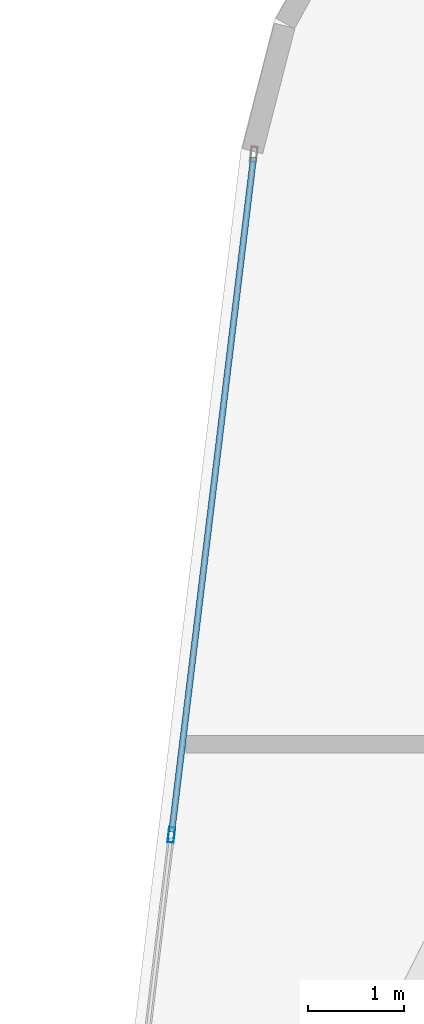
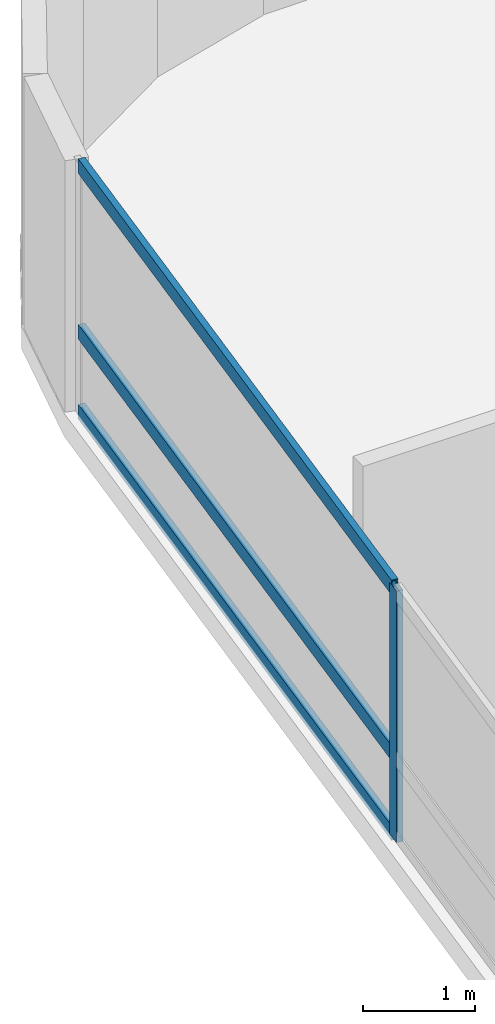
# One storey, part 10 of 25: 4 members, 1 element without a shape of its own.
"""IFC4 building model written with IfcOpenShell, lengths in metres."""

from ifc_helpers import new_model, si_unit, direction, frame, origin, origin_2d, place, context, subcontext, project, spatial, hollow_rectangle, extrude, material, layer, layer_set, material_profile, profile_set, type_object, element, aggregate, save


model = new_model("IFC4")

# Units and contexts
model_context = context("Model", 3, precision=1e-05, world=origin(), true_north=direction((0.0, 1.0)))
body_context = subcontext(model_context, "Body", "Model", "MODEL_VIEW")
ifc_project = project(units=[si_unit("LENGTHUNIT", "METRE"), si_unit("AREAUNIT", "SQUARE_METRE"), si_unit("VOLUMEUNIT", "CUBIC_METRE"), si_unit("PLANEANGLEUNIT", "RADIAN"), si_unit("MASSUNIT", "GRAM", prefix="KILO")], contexts=[model_context])

# Site, building, storey
site_placement = place(None, origin())
site = spatial("IfcSite", under=ifc_project, at=site_placement, CompositionType="ELEMENT")
building_placement = place(site_placement, origin())
building = spatial("IfcBuilding", under=site, at=building_placement, Name="Varnelok Gate Tower", CompositionType="ELEMENT")
storey_placement = place(building_placement, frame((0.0, 0.0, 140.199951171875)))
storey = spatial("IfcBuildingStorey", under=building, at=storey_placement, Name="L35", CompositionType="ELEMENT", Elevation=140.199951171875)

# Curtain wall, members
ifc_material = material(Name="Anodized Aluminum Alloy 6063-T6", Category="aluminium")
ifc_layer = layer(ifc_material, 0.179931640625)
ifc_layer_set = layer_set([ifc_layer], Name="Anodized Aluminum Alloy 6063-T6")
curtain_wall_type = type_object("IfcCurtainWallType", Name="CW3-HOTEL-VISION", PredefinedType="USERDEFINED", material=ifc_layer_set)
curtain_wall_placement = place(storey_placement, origin())
curtain_wall = element("IfcCurtainWall", 1, at=curtain_wall_placement, inside=storey, type_object=curtain_wall_type, Name="L35 West End Vision Curtain Wall", ObjectType="UNITISED CURTAIN WALL", PredefinedType="USERDEFINED")
ifc_material_profile_1 = material_profile(ifc_material, hollow_rectangle(XDim=0.06494140625, YDim=0.159912109375, WallThickness=0.00390625, at=origin_2d()), Name="ALU160X65X4")
ifc_profile_set_1 = profile_set([ifc_material_profile_1], Name="Anodized Aluminum Alloy 6063-T6")
member_type_1 = type_object("IfcMemberType", Name="CW-MULL-160", PredefinedType="MULLION", material=ifc_profile_set_1)
member_1_placement = place(storey_placement, frame((3.708984375, 40.4814453125, 0.0), z_axis=(0.0, 0.0, 1.0), x_axis=(-0.99273188146, 0.120347046212, 0.0)))
member_1 = element("IfcMember", 2, at=member_1_placement, type_object=member_type_1, Name="CW3 mullion 5", PredefinedType="MULLION", context=body_context, shape_type="SweptSolid", body=[
    extrude(hollow_rectangle(XDim=0.06494140625, YDim=0.159912109375, WallThickness=0.00390625, at=origin_2d()), origin(), (0.0, 0.0, 1.0), 2.72998046875),
])
ifc_material_profile_2 = material_profile(ifc_material, hollow_rectangle(XDim=0.06494140625, YDim=0.159912109375, WallThickness=0.00390625, at=origin_2d()), Name="ALU160X65X4")
ifc_profile_set_2 = profile_set([ifc_material_profile_2], Name="Anodized Aluminum Alloy 6063-T6")
member_type_2 = type_object("IfcMemberType", Name="CW-TRAN-160", PredefinedType="USERDEFINED", material=ifc_profile_set_2)
member_2_placement = place(storey_placement, frame((3.712890625, 40.513671875, 0.032470703125), z_axis=(0.120374481497, 0.992728555147, 0.0), x_axis=(-0.992728555147, 0.120374481497, 0.0)))
member_2 = element("IfcMember", 3, at=member_2_placement, type_object=member_type_2, Name="CW3 transom 5.1", ObjectType="TRANSOM", PredefinedType="USERDEFINED", context=body_context, shape_type="SweptSolid", body=[
    extrude(hollow_rectangle(XDim=0.06494140625, YDim=0.159912109375, WallThickness=0.00390625, at=origin_2d()), origin(), (0.0, 0.0, 1.0), 7.102783203125),
])
member_3_placement = place(storey_placement, frame((3.712890625, 40.513671875, 0.900146484375), z_axis=(0.120374481497, 0.992728555147, 0.0), x_axis=(-0.992728555147, 0.120374481497, 0.0)))
member_3 = element("IfcMember", 4, at=member_3_placement, type_object=member_type_2, Name="CW3 transom 5.2", ObjectType="TRANSOM", PredefinedType="USERDEFINED", context=body_context, shape_type="SweptSolid", body=[
    extrude(hollow_rectangle(XDim=0.06494140625, YDim=0.159912109375, WallThickness=0.00390625, at=origin_2d()), origin(), (0.0, 0.0, 1.0), 7.102783203125),
])
member_4_placement = place(storey_placement, frame((3.712890625, 40.513671875, 2.697509765625), z_axis=(0.120374481497, 0.992728555147, 0.0), x_axis=(-0.992728555147, 0.120374481497, 0.0)))
member_4 = element("IfcMember", 5, at=member_4_placement, type_object=member_type_2, Name="CW3 transom 5.3", ObjectType="TRANSOM", PredefinedType="USERDEFINED", context=body_context, shape_type="SweptSolid", body=[
    extrude(hollow_rectangle(XDim=0.06494140625, YDim=0.159912109375, WallThickness=0.00390625, at=origin_2d()), origin(), (0.0, 0.0, 1.0), 7.102783203125),
])
aggregate(curtain_wall, [member_1, member_2, member_3, member_4])

save(model, "model.ifc")
